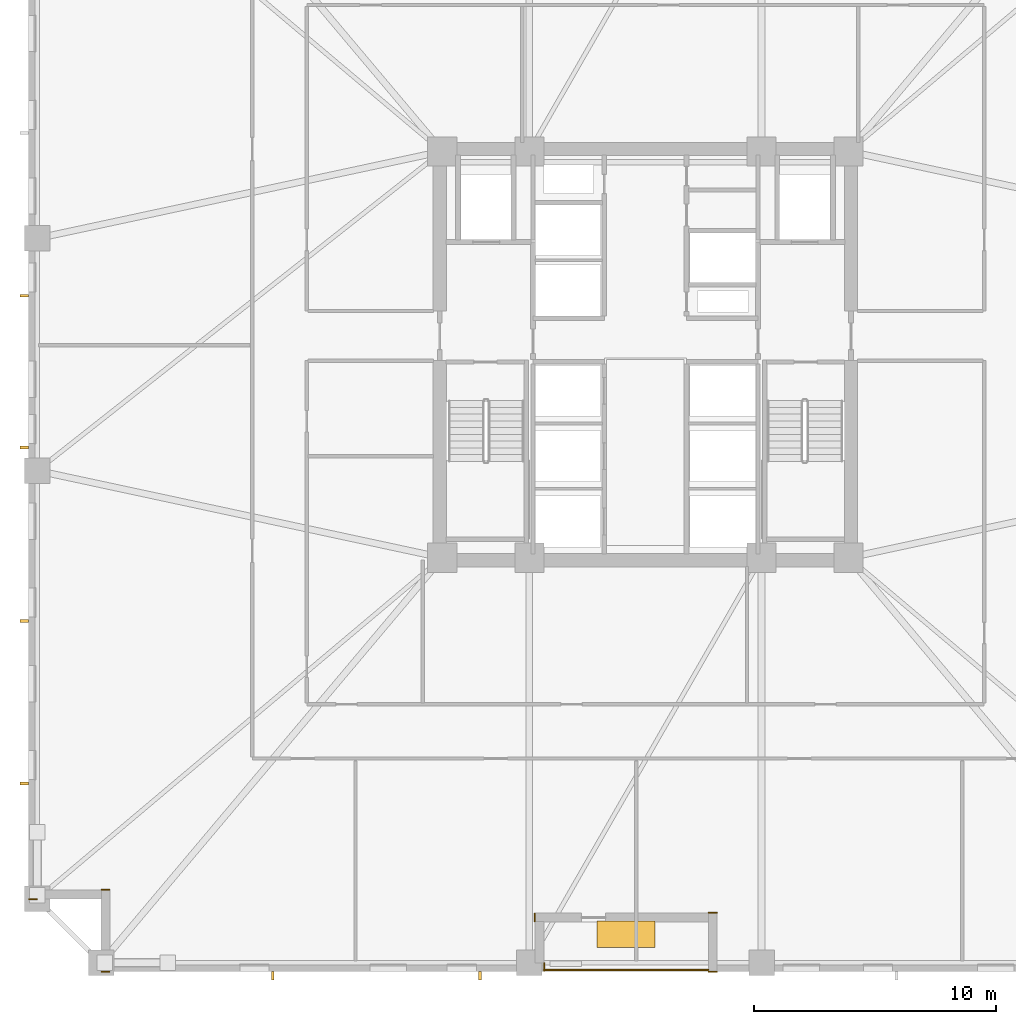
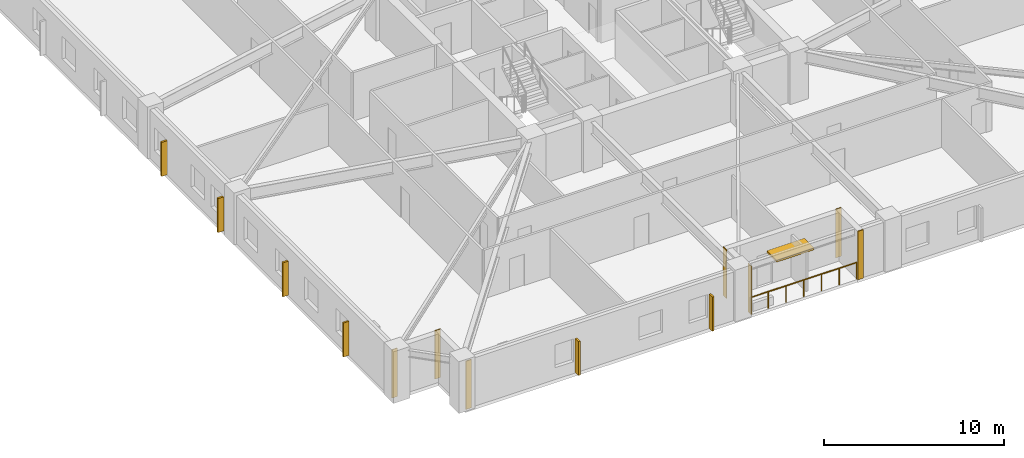
# One storey, part 7 of 11: 7 coverings, 7 shading devices, 1 railing.
"""IFC4 building model written with IfcOpenShell, lengths in metres."""

from ifc_helpers import new_model, si_unit, direction, frame, frame_2d, origin, origin_2d, place, context, subcontext, project, spatial, rectangle, circle, extrude, material, layer, layer_set, type_object, element, save


model = new_model("IFC4")

# Units and contexts
model_context = context("Model", 3, precision=1e-05, world=origin(), true_north=direction((0.0, 1.0)))
body_context = subcontext(model_context, "Body", "Model", "MODEL_VIEW")
ifc_project = project(units=[si_unit("LENGTHUNIT", "METRE"), si_unit("AREAUNIT", "SQUARE_METRE"), si_unit("VOLUMEUNIT", "CUBIC_METRE"), si_unit("PLANEANGLEUNIT", "RADIAN"), si_unit("MASSUNIT", "GRAM", prefix="KILO")], contexts=[model_context])

# Site, building, storey
site_placement = place(None, origin())
site = spatial("IfcSite", under=ifc_project, at=site_placement, CompositionType="ELEMENT")
building_placement = place(site_placement, origin())
building = spatial("IfcBuilding", under=site, at=building_placement, Name="Cairnveth Concourse Tower", CompositionType="ELEMENT")
storey_placement = place(building_placement, frame((0.0, 0.0, 34.0)))
storey = spatial("IfcBuildingStorey", under=building, at=storey_placement, Name="L08", CompositionType="ELEMENT", Elevation=34.0)

# Coverings
ifc_material_1 = material(Name="Dressed Melbourne Bluestone Cladding", Category="masonry")
ifc_layer = layer(ifc_material_1, 0.050048828125)
ifc_layer_set = layer_set([ifc_layer], Name="Dressed Melbourne Bluestone Cladding")
covering_type = type_object("IfcCoveringType", Name="DRESSED BLUESTONE PLINTH CLADDING 50", PredefinedType="CLADDING", material=ifc_layer_set)
for number, where, z_axis, x_axis, name in (
    (1, (47.820068359375, 13.860107421875, 0.0), (0.0, 0.0, 1.0), (0.0, -1.0, 0.0), "Melbourne Bluestone Corner Quoin L08-71"),
    (2, (29.860107421875, 13.47998046875, 0.0), (0.0, 0.0, 1.0), (-1.0, 0.0, 0.0), "Melbourne Bluestone Corner Quoin L08-72"),
    (3, (29.860107421875, 16.8798828125, 0.0), (0.0, 0.0, 1.0), (-1.0, 0.0, 0.0), "Melbourne Bluestone Corner Quoin L08-73"),
    (4, (26.860107421875, 16.47998046875, 0.0), (0.0, 0.0, 1.0), (-1.0, 0.0, 0.0), "Melbourne Bluestone Corner Quoin L08-74"),
):
    element("IfcCovering", number, at=place(storey_placement, frame(where, z_axis=z_axis, x_axis=x_axis)), inside=storey, type_object=covering_type, Name=name, PredefinedType="CLADDING", context=body_context, shape_type="SweptSolid", body=[
        extrude(rectangle(XDim=0.360107421875, YDim=0.050048828125, at=frame_2d((0.18017578125, 0.0))), origin(), (0.0, 0.0, 1.0), 3.280029296875),
    ])
for number, where, z_axis, x_axis, name in (
    (5, (54.9599609375, 13.47998046875, 0.0), (0.0, 0.0, 1.0), (-1.0, 0.0, 0.0), "Melbourne Bluestone Corner Quoin L08-84"),
    (6, (54.9599609375, 15.929931640625, 0.0), (0.0, 0.0, 1.0), (-1.0, 0.0, 0.0), "Melbourne Bluestone Corner Quoin L08-85"),
    (7, (47.419921875, 15.909912109375, 0.0), (0.0, 0.0, 1.0), (0.0, -1.0, 0.0), "Melbourne Bluestone Corner Quoin L08-86"),
):
    element("IfcCovering", number, at=place(storey_placement, frame(where, z_axis=z_axis, x_axis=x_axis)), inside=storey, type_object=covering_type, Name=name, PredefinedType="CLADDING", context=body_context, shape_type="SweptSolid", body=[
        extrude(rectangle(XDim=0.35986328125, YDim=0.050048828125, at=frame_2d((0.179931640625, 0.0))), origin(), (0.0, 0.0, 1.0), 3.280029296875),
    ])

# Shading devices
ifc_material_2 = material(Name="Architectural Bronze Anodised Aluminium 6063-T6", Category="aluminium")
shading_device_type_1 = type_object("IfcShadingDeviceType", Name="GOTHIC BRONZE VERTICAL LANCET FIN", PredefinedType="USERDEFINED", material=ifc_material_2)
for number, where, z_axis, x_axis, name in (
    (8, (45.166259765625, 13.324951171875, 0.02978515625), (0.0, 0.0, 1.0), (1.0, 0.0, 0.0), "Gothic Bronze Vertical Fin L08-0-1"),
    (9, (36.591796875, 13.324951171875, 0.02978515625), (0.0, 0.0, 1.0), (1.0, 0.0, 0.0), "Gothic Bronze Vertical Fin L08-0-3"),
    (10, (26.324951171875, 21.27001953125, 0.02978515625), (0.0, 0.0, 1.0), (0.0, 1.0, 0.0), "Gothic Bronze Vertical Fin L08-3-1"),
    (11, (26.324951171875, 27.990478515625, 0.02978515625), (0.0, 0.0, 1.0), (0.0, 1.0, 0.0), "Gothic Bronze Vertical Fin L08-3-3"),
    (12, (26.324951171875, 35.160888671875, 0.02978515625), (0.0, 0.0, 1.0), (0.0, 1.0, 0.0), "Gothic Bronze Vertical Fin L08-3-5"),
    (13, (26.324951171875, 41.43115234375, 0.02978515625), (0.0, 0.0, 1.0), (0.0, 1.0, 0.0), "Gothic Bronze Vertical Fin L08-3-7"),
):
    element("IfcShadingDevice", number, at=place(storey_placement, frame(where, z_axis=z_axis, x_axis=x_axis)), inside=storey, type_object=shading_device_type_1, Name=name, ObjectType="VERTICAL FIN", PredefinedType="USERDEFINED", context=body_context, shape_type="SweptSolid", body=[
        extrude(rectangle(XDim=0.1201171875, YDim=0.360107421875, at=origin_2d()), origin(), (0.0, 0.0, 1.0), 2.303955078125),
    ])
shading_device_type_2 = type_object("IfcShadingDeviceType", Name="SPIRAL TERRACE SUNSHADE CANOPY", PredefinedType="USERDEFINED", material=ifc_material_2)
shading_device_placement = place(storey_placement, frame((51.199951171875, 15.030029296875, 2.183837890625), z_axis=(0.0, 0.0, 1.0), x_axis=(1.0, 0.0, 0.0)))
element("IfcShadingDevice", 14, at=shading_device_placement, inside=storey, type_object=shading_device_type_2, Name="Spiral Terrace Sunshade L08", ObjectType="TERRACE SUNSHADE", PredefinedType="USERDEFINED", context=body_context, shape_type="SweptSolid", body=[
    extrude(rectangle(XDim=2.39990234375, YDim=1.10009765625, at=origin_2d()), origin(), (0.0, 0.0, 1.0), 0.1201171875),
])

# Railing
railing_type = type_object("IfcRailingType", Name="TERRACE BRONZE BALUSTRADE 1150", PredefinedType="BALUSTRADE", material=ifc_material_2)
railing_placement = place(storey_placement, frame((47.800048828125, 13.56005859375, 0.0)))
element("IfcRailing", 15, at=railing_placement, inside=storey, type_object=railing_type, Name="Terrace Balustrade RL-L08-TERR", PredefinedType="BALUSTRADE", context=body_context, shape_type="SweptSolid", body=[
    extrude(circle(Radius=0.02490234375, at=origin_2d()), frame((0.0, 0.0, 1.125), z_axis=(1.0, 0.0, 0.0), x_axis=(0.0, 1.0, 0.0)), (0.0, 0.0, 1.0), 6.800048828125),
    extrude(circle(Radius=0.02099609375, at=origin_2d()), origin(), (0.0, 0.0, 1.0), 1.099853515625),
    extrude(circle(Radius=0.02099609375, at=origin_2d()), frame((1.13330078125, 0.0, 0.0)), (0.0, 0.0, 1.0), 1.099853515625),
    extrude(circle(Radius=0.02099609375, at=origin_2d()), frame((2.2666015625, 0.0, 0.0)), (0.0, 0.0, 1.0), 1.099853515625),
    extrude(circle(Radius=0.02099609375, at=origin_2d()), frame((3.39990234375, 0.0, 0.0)), (0.0, 0.0, 1.0), 1.099853515625),
    extrude(circle(Radius=0.02099609375, at=origin_2d()), frame((4.533447265625, 0.0, 0.0)), (0.0, 0.0, 1.0), 1.099853515625),
    extrude(circle(Radius=0.02099609375, at=origin_2d()), frame((5.666748046875, 0.0, 0.0)), (0.0, 0.0, 1.0), 1.099853515625),
    extrude(circle(Radius=0.02099609375, at=origin_2d()), frame((6.800048828125, 0.0, 0.0)), (0.0, 0.0, 1.0), 1.099853515625),
])

save(model, "model.ifc")
